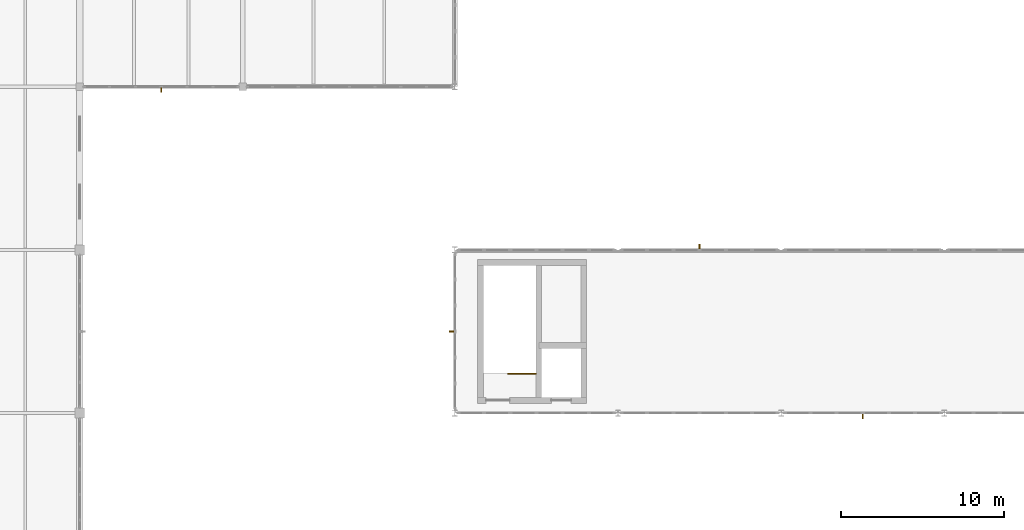
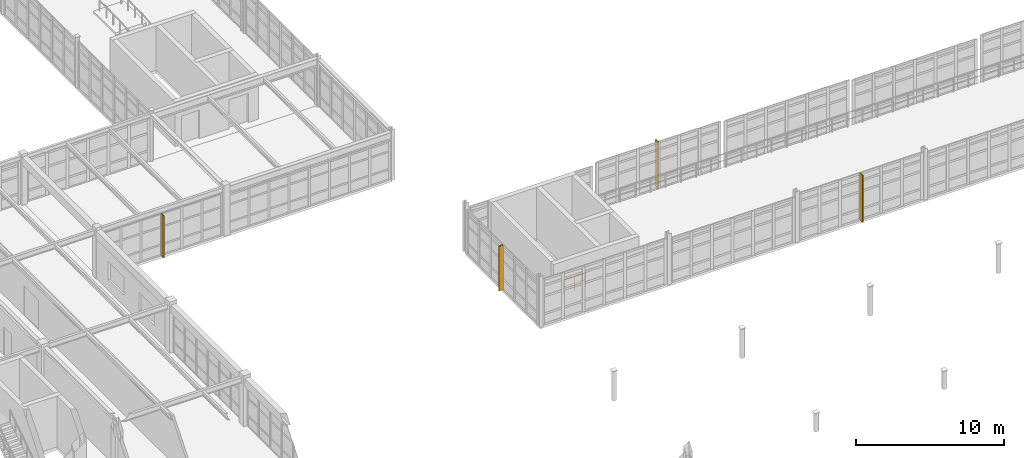
# One storey, part 115 of 122: 4 shading devices, 1 railing.
"""IFC4 building model written with IfcOpenShell, lengths in metres."""

from ifc_helpers import new_model, si_unit, direction, frame, origin, origin_2d, place, context, subcontext, project, spatial, rectangle, circle, extrude, material, type_object, element, save


model = new_model("IFC4")

# Units and contexts
model_context = context("Model", 3, precision=1e-05, world=origin(), true_north=direction((0.0, 1.0)))
body_context = subcontext(model_context, "Body", "Model", "MODEL_VIEW")
ifc_project = project(units=[si_unit("LENGTHUNIT", "METRE"), si_unit("AREAUNIT", "SQUARE_METRE"), si_unit("VOLUMEUNIT", "CUBIC_METRE"), si_unit("PLANEANGLEUNIT", "RADIAN"), si_unit("MASSUNIT", "GRAM", prefix="KILO"), si_unit("THERMODYNAMICTEMPERATUREUNIT", "KELVIN"), si_unit("POWERUNIT", "WATT")], contexts=[model_context])

# Site, building, storey
site_placement = place(None, origin())
site = spatial("IfcSite", under=ifc_project, at=site_placement, CompositionType="ELEMENT")
building_placement = place(site_placement, origin())
building = spatial("IfcBuilding", under=site, at=building_placement, Name="Korenveer Ferry Terminal", CompositionType="ELEMENT")
storey_placement = place(building_placement, frame((0.0, 0.0, 10.199951171875)))
storey = spatial("IfcBuildingStorey", under=building, at=storey_placement, Name="L02", CompositionType="ELEMENT", Elevation=10.199951171875)

# Shading devices
ifc_material_1 = material(Name="Anodised bronze aluminium solar fin", Category="aluminium")
shading_device_type = type_object("IfcShadingDeviceType", Name="ENV-SHD-FIN", PredefinedType="JALOUSIE", material=ifc_material_1)
for number, where, z_axis, x_axis, name in (
    (1, (78.0, 49.840087890625, -0.019775390625), (0.0, 0.0, 1.0), (0.0, 1.0, 0.0), "Gothic solar fin 41"),
    (2, (68.0, 60.159912109375, -0.019775390625), (0.0, 0.0, 1.0), (0.0, 1.0, 0.0), "Gothic solar fin 43"),
):
    element("IfcShadingDevice", number, at=place(storey_placement, frame(where, z_axis=z_axis, x_axis=x_axis)), inside=storey, type_object=shading_device_type, Name=name, PredefinedType="JALOUSIE", context=body_context, shape_type="SweptSolid", body=[
        extrude(rectangle(XDim=0.360107421875, YDim=0.080078125, at=origin_2d()), origin(), (0.0, 0.0, 1.0), 3.8798828125),
    ])
shading_device_1_placement = place(storey_placement, frame((35.0, 69.840087890625, -0.02001953125), z_axis=(0.0, 0.0, 1.0), x_axis=(0.0, 1.0, 0.0)))
element("IfcShadingDevice", 3, at=shading_device_1_placement, inside=storey, type_object=shading_device_type, Name="Gothic solar fin 45", PredefinedType="JALOUSIE", context=body_context, shape_type="SweptSolid", body=[
    extrude(rectangle(XDim=0.360107421875, YDim=0.080078125, at=origin_2d()), origin(), (0.0, 0.0, 1.0), 3.5),
])
shading_device_2_placement = place(storey_placement, frame((52.840087890625, 55.0, -0.02001953125), z_axis=(0.0, 0.0, 1.0), x_axis=(1.0, 0.0, 0.0)))
element("IfcShadingDevice", 4, at=shading_device_2_placement, inside=storey, type_object=shading_device_type, Name="Gothic solar fin 53", PredefinedType="JALOUSIE", context=body_context, shape_type="SweptSolid", body=[
    extrude(rectangle(XDim=0.360107421875, YDim=0.080078125, at=origin_2d()), origin(), (0.0, 0.0, 1.0), 3.679931640625),
])

# Railing
ifc_material_2 = material(Name="Painted steel stair guard", Category="steel")
railing_type = type_object("IfcRailingType", Name="INT-RL-STGRD", PredefinedType="GUARDRAIL", material=ifc_material_2)
railing_placement = place(storey_placement, frame((57.9599609375, 52.409912109375, 0.0)))
element("IfcRailing", 5, at=railing_placement, inside=storey, type_object=railing_type, Name="L02 ST05 top well guard 1", PredefinedType="GUARDRAIL", context=body_context, shape_type="SweptSolid", body=[
    extrude(circle(Radius=0.02392578125, at=origin_2d()), frame((0.0, 0.0, 1.17578125), z_axis=(-1.0, 0.0, 0.0), x_axis=(0.0, -1.0, 0.0)), (0.0, 0.0, 1.0), 1.699951171875),
    extrude(circle(Radius=0.01806640625, at=origin_2d()), frame((0.0, 0.0, 0.6240234375), z_axis=(-1.0, 0.0, 0.0), x_axis=(0.0, -1.0, 0.0)), (0.0, 0.0, 1.0), 1.699951171875),
    extrude(circle(Radius=0.02099609375, at=origin_2d()), origin(), (0.0, 0.0, 1.0), 1.15185546875),
    extrude(circle(Radius=0.02099609375, at=origin_2d()), frame((-0.85009765625, 0.0, 0.0)), (0.0, 0.0, 1.0), 1.15185546875),
    extrude(circle(Radius=0.02099609375, at=origin_2d()), frame((-1.699951171875, 0.0, 0.0)), (0.0, 0.0, 1.0), 1.15185546875),
])

save(model, "model.ifc")
